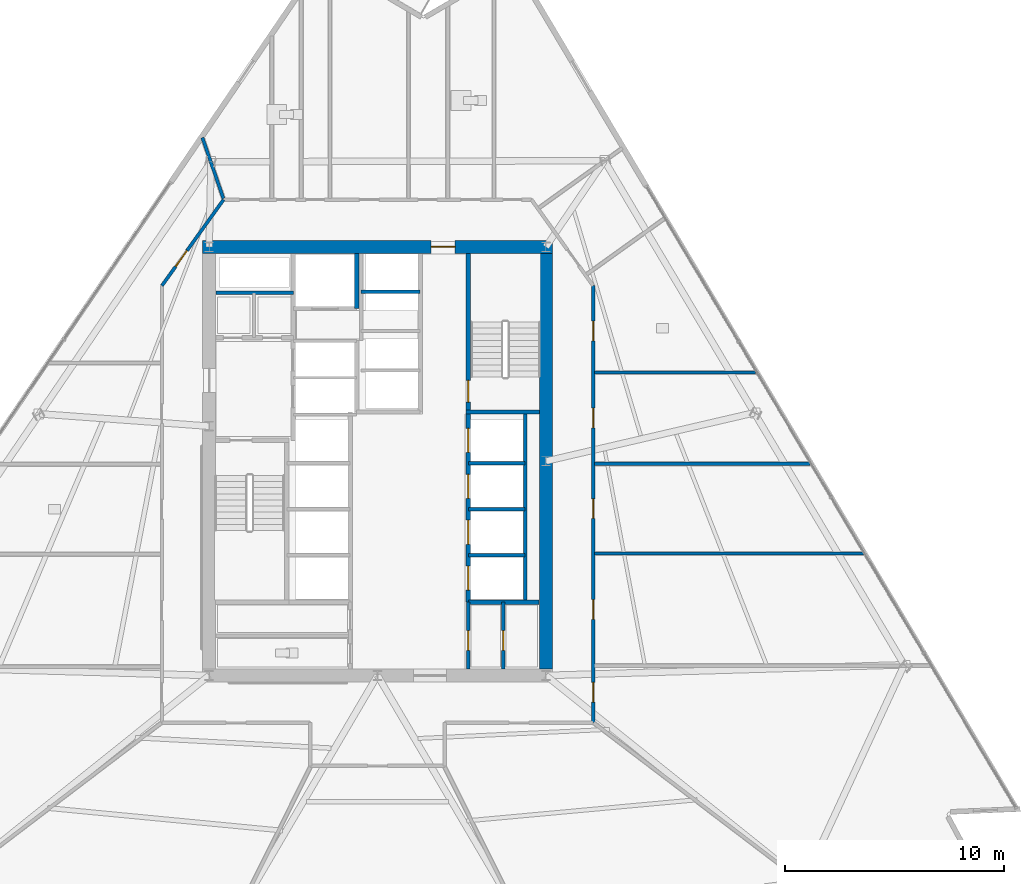
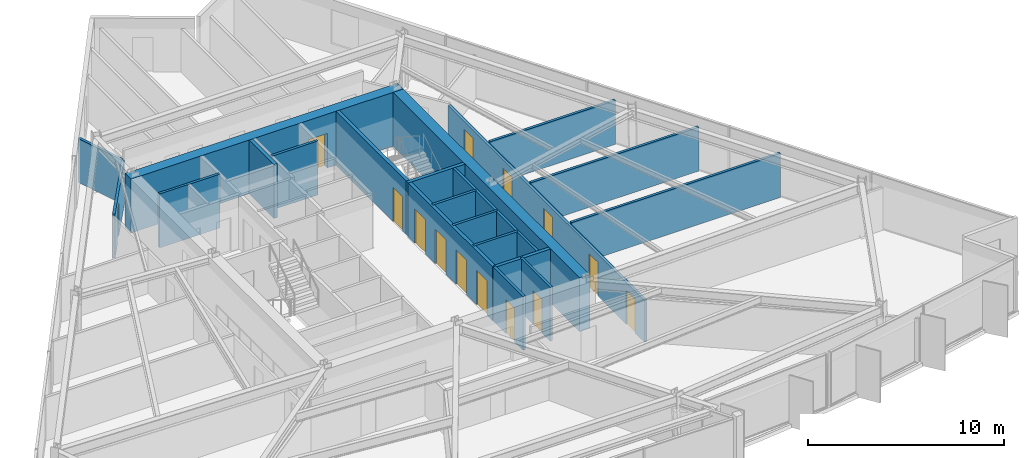
# One storey, part 10 of 16: 21 walls, 14 doors, 14 openings.
"""IFC4 building model written with IfcOpenShell, lengths in metres."""

import ifcopenshell
import ifcopenshell.guid

model = None  # the IFC model being written
_history = None  # IfcOwnerHistory: only IFC2X3 demands one
_inside = {}  # id of a spatial element -> (the spatial element, [elements in it])
_under = {}  # id of a project, library or spatial element -> (it, [spatial elements below it])
_declared = {}  # id of a project -> (the project, [libraries it declares])
_typed = {}  # id of a type object -> (the type object, [elements of that type])
_made_of = {}  # id of a material, layer set ... -> (it, [elements and type objects made of it])


def new_model(schema):
    """Start an empty IFC model of exactly this schema.

    Asked for "IFC4X3", IfcOpenShell would pick the latest addendum, in which some entities
    have other attributes; the version numbers below select the first issue.
    IFC2X3 requires an IfcOwnerHistory on every rooted entity: one is made here for all.
    """
    global model, _history
    if schema == "IFC4X3":
        model = ifcopenshell.file(schema_version=(4, 3, 0, 0))
    else:
        model = ifcopenshell.file(schema=schema)
    _inside.clear()
    _under.clear()
    _declared.clear()
    _typed.clear()
    _made_of.clear()
    _history = None
    if model.schema == "IFC2X3":
        org = make("IfcOrganization", Name="unknown")
        user = make(
            "IfcPersonAndOrganization",
            ThePerson=make("IfcPerson", FamilyName="unknown"),
            TheOrganization=org,
        )
        app = make(
            "IfcApplication",
            ApplicationDeveloper=org,
            Version="unknown",
            ApplicationFullName="unknown",
            ApplicationIdentifier="unknown",
        )
        _history = make(
            "IfcOwnerHistory",
            OwningUser=user,
            OwningApplication=app,
            ChangeAction="ADDED",
            CreationDate=0,
        )
    return model


def make(cls, **values):
    """One entity of the class cls with the attributes given. An attribute that is None is left unset."""
    return model.create_entity(
        cls, **{name: value for name, value in values.items() if value is not None}
    )


def rooted(cls, **values):
    """An entity with a GlobalId (a new one), such as an element, a storey or a relation."""
    return make(cls, GlobalId=ifcopenshell.guid.new(), OwnerHistory=_history, **values)


def si_unit(unit_type, name, prefix=None):
    """IfcSIUnit, for example si_unit("LENGTHUNIT", "METRE", prefix="MILLI")."""
    return make("IfcSIUnit", UnitType=unit_type, Prefix=prefix, Name=name)


def assignment(units):
    """IfcUnitAssignment: the units of a project."""
    return None if units is None else make("IfcUnitAssignment", Units=units)


def point(xyz):
    """IfcCartesianPoint."""
    return None if xyz is None else make("IfcCartesianPoint", Coordinates=xyz)


def direction(xyz):
    """IfcDirection."""
    return None if xyz is None else make("IfcDirection", DirectionRatios=xyz)


def frame(location, z_axis=None, x_axis=None):
    """IfcAxis2Placement3D, a coordinate frame: its origin and axes. An axis left out is left unset."""
    return make(
        "IfcAxis2Placement3D",
        Location=point(location),
        Axis=direction(z_axis),
        RefDirection=direction(x_axis),
    )


def frame_2d(location, x_axis=None):
    """IfcAxis2Placement2D, a coordinate frame in the plane: its origin and x axis."""
    return make(
        "IfcAxis2Placement2D", Location=point(location), RefDirection=direction(x_axis)
    )


def origin():
    """The frame at (0, 0, 0) with its axes left unset."""
    return frame((0.0, 0.0, 0.0))


def place(relative_to, where):
    """IfcLocalPlacement: puts the frame where relative to a parent placement (None: the world)."""
    return make(
        "IfcLocalPlacement", PlacementRelTo=relative_to, RelativePlacement=where
    )


def context(
    kind, dimensions, precision=None, world=None, true_north=None, identifier=None
):
    """IfcGeometricRepresentationContext, for example the 3D "Model" context."""
    return make(
        "IfcGeometricRepresentationContext",
        ContextIdentifier=identifier,
        ContextType=kind,
        CoordinateSpaceDimension=dimensions,
        Precision=precision,
        WorldCoordinateSystem=world,
        TrueNorth=true_north,
    )


def subcontext(parent, identifier, kind, view, scale=None):
    """IfcGeometricRepresentationSubContext, for example "Body" below "Model"."""
    return make(
        "IfcGeometricRepresentationSubContext",
        ContextIdentifier=identifier,
        ContextType=kind,
        ParentContext=parent,
        TargetScale=scale,
        TargetView=view,
    )


def project(units=None, contexts=None):
    """IfcProject with its units and contexts."""
    return rooted(
        "IfcProject",
        Name="project",
        RepresentationContexts=contexts,
        UnitsInContext=assignment(units),
    )


def spatial(cls, under=None, at=None, **own):
    """A site, building, storey or space (cls), placed at a placement, below another one or the project."""
    s = rooted(cls, ObjectPlacement=at, **own)
    if under is not None:
        _under.setdefault(under.id(), (under, []))[1].append(s)
    return s


def profile(cls, at=None, kind="AREA", **sizes):
    """A parametric profile (cls). Its sizes go by their IFC names, for example OverallWidth=200.0."""
    return make(cls, ProfileType=kind, Position=at, **sizes)


def rectangle(**sizes):
    """IfcRectangleProfileDef."""
    return profile("IfcRectangleProfileDef", **sizes)


def extrude(swept, where, along, depth):
    """IfcExtrudedAreaSolid: the profile swept, set in the frame where, extruded along a direction by depth."""
    return make(
        "IfcExtrudedAreaSolid",
        SweptArea=swept,
        Position=where,
        ExtrudedDirection=direction(along),
        Depth=depth,
    )


def shape(context_of_items, identifier, shape_type, items):
    """IfcShapeRepresentation: the items that make up one representation, for example the "Body"."""
    return make(
        "IfcShapeRepresentation",
        ContextOfItems=context_of_items,
        RepresentationIdentifier=identifier,
        RepresentationType=shape_type,
        Items=items,
    )


def material(Name=None, Category=None):
    """IfcMaterial."""
    return make("IfcMaterial", Name=Name, Category=Category)


def layer(
    of_material, thickness, ventilated=None, Name=None, Category=None, Priority=None
):
    """IfcMaterialLayer: one layer of a wall or slab, of a material (None: an air gap)."""
    return make(
        "IfcMaterialLayer",
        Material=of_material,
        LayerThickness=thickness,
        IsVentilated=ventilated,
        Name=Name,
        Category=Category,
        Priority=Priority,
    )


def layer_set(layers, Name=None):
    """IfcMaterialLayerSet."""
    return make("IfcMaterialLayerSet", MaterialLayers=layers, LayerSetName=Name)


def made_of(thing, what):
    """Note that an element or type object is made of a material, layer set ...; save() writes the relation."""
    if what is not None:
        _made_of.setdefault(what.id(), (what, []))[1].append(thing)
    return thing


def type_object(cls, material=None, **own):
    """A type object (cls), such as IfcWallType, which elements share."""
    return made_of(rooted(cls, **own), material)


def element(
    cls,
    number,
    at=None,
    inside=None,
    cuts=None,
    type_object=None,
    material=None,
    context=None,
    identifier="Body",
    shape_type=None,
    held_by="IfcProductDefinitionShape",
    body=None,
    shapes=None,
    **own,
):
    """One element of the class cls, such as IfcWall. Its Tag is "e" and its number.

    at: its placement. inside: the storey or other place that contains it. cuts: it is an
    opening in that element (IfcRelVoidsElement). A single representation is given by context,
    identifier, shape_type and body (its items); several are given by shapes. held_by: the class
    of the entity that holds the representations. save() writes the other relations.
    """
    e = rooted(cls, Tag="e%d" % number, ObjectPlacement=at, **own)
    if body is not None:
        shapes = [shape(context, identifier, shape_type, body)]
    if shapes is not None:
        e.Representation = make(held_by, Representations=shapes)
    if inside is not None:
        _inside.setdefault(inside.id(), (inside, []))[1].append(e)
    if cuts is not None:
        rooted(
            "IfcRelVoidsElement", RelatingBuildingElement=cuts, RelatedOpeningElement=e
        )
    if type_object is not None:
        _typed.setdefault(type_object.id(), (type_object, []))[1].append(e)
    return made_of(e, material)


def fill(opening, filler):
    """IfcRelFillsElement: the door or window that sits in an opening."""
    return rooted(
        "IfcRelFillsElement",
        RelatingOpeningElement=opening,
        RelatedBuildingElement=filler,
    )


def aggregate(whole, parts):
    """IfcRelAggregates: a whole, such as a stair, and the parts it consists of."""
    return rooted("IfcRelAggregates", RelatingObject=whole, RelatedObjects=parts)


def save(model, path):
    """Write the relations noted so far, then the file.

    IfcRelAggregates (storeys below a building ...), IfcRelContainedInSpatialStructure (elements
    in a storey), IfcRelDefinesByType, IfcRelAssociatesMaterial and IfcRelDeclares: one each for
    every whole, place, type object, material and project.
    """
    for whole, parts in _under.values():
        aggregate(whole, parts)
    for where, things in _inside.values():
        rooted(
            "IfcRelContainedInSpatialStructure",
            RelatedElements=things,
            RelatingStructure=where,
        )
    for kind, things in _typed.values():
        rooted("IfcRelDefinesByType", RelatedObjects=things, RelatingType=kind)
    for what, things in _made_of.values():
        rooted("IfcRelAssociatesMaterial", RelatedObjects=things, RelatingMaterial=what)
    for by, libraries in _declared.values():
        rooted("IfcRelDeclares", RelatingContext=by, RelatedDefinitions=libraries)
    model.write(path)


model = new_model("IFC4")

# Units and contexts
model_context = context("Model", 3, precision=1e-05, world=origin(), true_north=direction((0.0, 1.0)))
body_context = subcontext(model_context, "Body", "Model", "MODEL_VIEW")
ifc_project = project(units=[si_unit("LENGTHUNIT", "METRE"), si_unit("AREAUNIT", "SQUARE_METRE"), si_unit("VOLUMEUNIT", "CUBIC_METRE"), si_unit("PLANEANGLEUNIT", "RADIAN"), si_unit("MASSUNIT", "GRAM", prefix="KILO")], contexts=[model_context])

# Site, building, storey
site_placement = place(None, origin())
site = spatial("IfcSite", under=ifc_project, at=site_placement, CompositionType="ELEMENT")
building_placement = place(site_placement, origin())
building = spatial("IfcBuilding", under=site, at=building_placement, Name="Savorim Split Tower", CompositionType="ELEMENT")
storey_placement = place(building_placement, frame((0.0, 0.0, 66.0)))
storey = spatial("IfcBuildingStorey", under=building, at=storey_placement, Name="L17", CompositionType="ELEMENT", Elevation=66.0)

# Wall, opening, door
ifc_material_1 = material(Name="Concrete C60/75", Category="concrete")
ifc_layer_1 = layer(ifc_material_1, 0.60009765625)
ifc_layer_set_1 = layer_set([ifc_layer_1], Name="WAL-COR-SH600")
wall_type_1 = type_object("IfcWallType", Name="WAL-COR-SH600", PredefinedType="SHEAR", material=ifc_layer_set_1)
wall_1_placement = place(storey_placement, frame((8.0, 10.199951171875, 0.0), z_axis=(0.0, 0.0, 1.0), x_axis=(-1.0, 0.0, 0.0)))
wall_1 = element("IfcWall", 1, at=wall_1_placement, inside=storey, type_object=wall_type_1, Name="L17 Offset Core North Shear Wall", PredefinedType="SHEAR", context=body_context, shape_type="SweptSolid", body=[
    extrude(rectangle(XDim=16.0, YDim=0.60009765625, at=frame_2d((8.0, 0.0))), origin(), (0.0, 0.0, 1.0), 3.35009765625),
])
opening_1_placement = place(wall_1_placement, frame((4.449951171875, 0.0, 0.0)))
opening_1 = element("IfcOpeningElement", 2, at=opening_1_placement, cuts=wall_1, Name="Opening DI-03", PredefinedType="OPENING", context=body_context, shape_type="SweptSolid", body=[
    extrude(rectangle(XDim=1.10009765625, YDim=2.14990234375, at=frame_2d((0.550048828125, 1.074951171875))), frame((0.0, 0.31005859375, 0.0), z_axis=(0.0, -1.0, 0.0), x_axis=(1.0, 0.0, 0.0)), (0.0, 0.0, 1.0), 0.6201171875),
])
ifc_material_2 = material(Name="Timber Fire Door Leaf", Category="wood")
door_type_1 = type_object("IfcDoorType", Name="DOR-FIR-1100", OperationType="NOTDEFINED", PredefinedType="DOOR", material=ifc_material_2)
door_1_placement = place(opening_1_placement, origin())
door_1 = element("IfcDoor", 3, at=door_1_placement, inside=storey, type_object=door_type_1, Name="DOR-L17-COR-NLOB - L17 North Corridor Lobby Fire Door", OperationType="SINGLE_SWING_RIGHT", OverallHeight=2.14990234375, OverallWidth=1.10009765625, PredefinedType="DOOR", context=body_context, shape_type="SweptSolid", body=[
    extrude(rectangle(XDim=1.10009765625, YDim=2.14990234375, at=frame_2d((0.550048828125, 1.074951171875))), frame((0.0, 0.02490234375, 0.0), z_axis=(0.0, -1.0, 0.0), x_axis=(1.0, 0.0, 0.0)), (0.0, 0.0, 1.0), 0.050048828125),
])
fill(opening_1, door_1)

# Wall
wall_2_placement = place(storey_placement, frame((7.699951171875, 9.89990234375, 0.0), z_axis=(0.0, 0.0, 1.0), x_axis=(0.0, -1.0, 0.0)))
element("IfcWall", 4, at=wall_2_placement, inside=storey, type_object=wall_type_1, Name="L17 Offset Core East Shear Wall", PredefinedType="SHEAR", context=body_context, shape_type="SweptSolid", body=[
    extrude(rectangle(XDim=19.0, YDim=0.60009765625, at=frame_2d((9.5, 0.0))), origin(), (0.0, 0.0, 1.0), 3.35009765625),
])

# Wall, opening, door
ifc_material_3 = material(Name="Concrete C50/60", Category="concrete")
ifc_layer_2 = layer(ifc_material_3, 0.199951171875)
ifc_layer_set_2 = layer_set([ifc_layer_2], Name="WAL-INT-RC200")
wall_type_2 = type_object("IfcWallType", Name="WAL-INT-RC200", PredefinedType="SOLIDWALL", material=ifc_layer_set_2)
wall_3_placement = place(storey_placement, frame((4.14990234375, 2.75, 0.0), z_axis=(0.0, 0.0, 1.0), x_axis=(0.0, 1.0, 0.0)))
wall_3 = element("IfcWall", 5, at=wall_3_placement, inside=storey, type_object=wall_type_2, Name="L17 Structural Shaft Wall W-L17-CR07", PredefinedType="SOLIDWALL", context=body_context, shape_type="SweptSolid", body=[
    extrude(rectangle(XDim=7.14990234375, YDim=0.199951171875, at=frame_2d((3.574951171875, 0.0))), origin(), (0.0, 0.0, 1.0), 3.35009765625),
])
opening_2_placement = place(wall_3_placement, frame((0.35009765625, 0.0, 0.0)))
opening_2 = element("IfcOpeningElement", 6, at=opening_2_placement, cuts=wall_3, Name="Opening DI-04", PredefinedType="OPENING", context=body_context, shape_type="SweptSolid", body=[
    extrude(rectangle(XDim=1.0, YDim=2.14990234375, at=frame_2d((0.5, 1.074951171875))), frame((0.0, 0.10986328125, 0.0), z_axis=(0.0, -1.0, 0.0), x_axis=(1.0, 0.0, 0.0)), (0.0, 0.0, 1.0), 0.219970703125),
])
door_type_2 = type_object("IfcDoorType", Name="DOR-FIR-1000", OperationType="NOTDEFINED", PredefinedType="DOOR", material=ifc_material_2)
door_2_placement = place(opening_2_placement, origin())
door_2 = element("IfcDoor", 7, at=door_2_placement, inside=storey, type_object=door_type_2, Name="DR-L17-ST2 - L17 Stair ST-2 Enclosure Door", OperationType="SINGLE_SWING_RIGHT", OverallHeight=2.14990234375, OverallWidth=1.0, PredefinedType="DOOR", context=body_context, shape_type="SweptSolid", body=[
    extrude(rectangle(XDim=1.0, YDim=2.14990234375, at=frame_2d((0.5, 1.074951171875))), frame((0.0, 0.02490234375, 0.0), z_axis=(0.0, -1.0, 0.0), x_axis=(1.0, 0.0, 0.0)), (0.0, 0.0, 1.0), 0.050048828125),
])
fill(opening_2, door_2)

# Walls
wall_4_placement = place(storey_placement, frame((4.050048828125, 2.64990234375, 0.0), z_axis=(0.0, 0.0, 1.0), x_axis=(1.0, 0.0, 0.0)))
element("IfcWall", 8, at=wall_4_placement, inside=storey, type_object=wall_type_2, Name="L17 Structural Shaft Wall W-L17-CR08", PredefinedType="SOLIDWALL", context=body_context, shape_type="SweptSolid", body=[
    extrude(rectangle(XDim=3.349853515625, YDim=0.199951171875, at=frame_2d((1.6748046875, 0.0))), origin(), (0.0, 0.0, 1.0), 3.35009765625),
])
wall_5_placement = place(storey_placement, frame((-0.949951171875, 7.3798828125, 0.0), z_axis=(0.0, 0.0, 1.0), x_axis=(0.0, 1.0, 0.0)))
element("IfcWall", 9, at=wall_5_placement, inside=storey, type_object=wall_type_2, Name="L17 Partition W-L17-SVLE", PredefinedType="SOLIDWALL", context=body_context, shape_type="SweptSolid", body=[
    extrude(rectangle(XDim=2.51513671875, YDim=0.199951171875, at=frame_2d((1.257568359375, 0.0))), origin(), (0.0, 0.0, 1.0), 3.35009765625),
])

# Wall, openings, doors
wall_6_placement = place(storey_placement, frame((4.14990234375, -6.050048828125, 0.0), z_axis=(0.0, 0.0, 1.0), x_axis=(0.0, 1.0, 0.0)))
wall_6 = element("IfcWall", 10, at=wall_6_placement, inside=storey, type_object=wall_type_2, Name="L17 Partition W-L17-B1FRONT", PredefinedType="SOLIDWALL", context=body_context, shape_type="SweptSolid", body=[
    extrude(rectangle(XDim=8.699951171875, YDim=0.199951171875, at=frame_2d((4.35009765625, 0.0))), origin(), (0.0, 0.0, 1.0), 3.35009765625),
])
opening_3_placement = place(wall_6_placement, frame((0.550048828125, 0.0, 0.0)))
opening_3 = element("IfcOpeningElement", 11, at=opening_3_placement, cuts=wall_6, Name="Opening LD-01", PredefinedType="OPENING", context=body_context, shape_type="SweptSolid", body=[
    extrude(rectangle(XDim=1.10009765625, YDim=2.14990234375, at=frame_2d((0.550048828125, 1.074951171875))), frame((0.0, 0.10986328125, 0.0), z_axis=(0.0, -1.0, 0.0), x_axis=(1.0, 0.0, 0.0)), (0.0, 0.0, 1.0), 0.219970703125),
])
opening_4_placement = place(wall_6_placement, frame((2.64990234375, 0.0, 0.0)))
opening_4 = element("IfcOpeningElement", 12, at=opening_4_placement, cuts=wall_6, Name="Opening LD-01", PredefinedType="OPENING", context=body_context, shape_type="SweptSolid", body=[
    extrude(rectangle(XDim=1.10009765625, YDim=2.14990234375, at=frame_2d((0.550048828125, 1.074951171875))), frame((0.0, 0.10986328125, 0.0), z_axis=(0.0, -1.0, 0.0), x_axis=(1.0, 0.0, 0.0)), (0.0, 0.0, 1.0), 0.219970703125),
])
opening_5_placement = place(wall_6_placement, frame((4.75, 0.0, 0.0)))
opening_5 = element("IfcOpeningElement", 13, at=opening_5_placement, cuts=wall_6, Name="Opening LD-01", PredefinedType="OPENING", context=body_context, shape_type="SweptSolid", body=[
    extrude(rectangle(XDim=1.10009765625, YDim=2.14990234375, at=frame_2d((0.550048828125, 1.074951171875))), frame((0.0, 0.10986328125, 0.0), z_axis=(0.0, -1.0, 0.0), x_axis=(1.0, 0.0, 0.0)), (0.0, 0.0, 1.0), 0.219970703125),
])
opening_6_placement = place(wall_6_placement, frame((6.85009765625, 0.0, 0.0)))
opening_6 = element("IfcOpeningElement", 14, at=opening_6_placement, cuts=wall_6, Name="Opening LD-01", PredefinedType="OPENING", context=body_context, shape_type="SweptSolid", body=[
    extrude(rectangle(XDim=1.10009765625, YDim=2.14990234375, at=frame_2d((0.550048828125, 1.074951171875))), frame((0.0, 0.10986328125, 0.0), z_axis=(0.0, -1.0, 0.0), x_axis=(1.0, 0.0, 0.0)), (0.0, 0.0, 1.0), 0.219970703125),
])
ifc_material_4 = material(Name="Charcoal Anodised Aluminium", Category="aluminium")
door_type_3 = type_object("IfcDoorType", Name="DOR-SLD-LD1100", OperationType="NOTDEFINED", PredefinedType="DOOR", material=ifc_material_4)
door_3_placement = place(opening_3_placement, origin())
door_3 = element("IfcDoor", 15, at=door_3_placement, inside=storey, type_object=door_type_3, Name="DR-L17-LD-PLL1 - L17 Lift PL-L1 Sliding Landing Door", OperationType="DOUBLE_DOOR_SLIDING", OverallHeight=2.14990234375, OverallWidth=1.10009765625, PredefinedType="DOOR", context=body_context, shape_type="SweptSolid", body=[
    extrude(rectangle(XDim=1.10009765625, YDim=2.14990234375, at=frame_2d((0.550048828125, 1.074951171875))), frame((0.0, 0.02490234375, 0.0), z_axis=(0.0, -1.0, 0.0), x_axis=(1.0, 0.0, 0.0)), (0.0, 0.0, 1.0), 0.050048828125),
])
fill(opening_3, door_3)
door_4_placement = place(opening_4_placement, origin())
door_4 = element("IfcDoor", 16, at=door_4_placement, inside=storey, type_object=door_type_3, Name="DR-L17-LD-PLL2 - L17 Lift PL-L2 Sliding Landing Door", OperationType="DOUBLE_DOOR_SLIDING", OverallHeight=2.14990234375, OverallWidth=1.10009765625, PredefinedType="DOOR", context=body_context, shape_type="SweptSolid", body=[
    extrude(rectangle(XDim=1.10009765625, YDim=2.14990234375, at=frame_2d((0.550048828125, 1.074951171875))), frame((0.0, 0.02490234375, 0.0), z_axis=(0.0, -1.0, 0.0), x_axis=(1.0, 0.0, 0.0)), (0.0, 0.0, 1.0), 0.050048828125),
])
fill(opening_4, door_4)
door_5_placement = place(opening_5_placement, origin())
door_5 = element("IfcDoor", 17, at=door_5_placement, inside=storey, type_object=door_type_3, Name="DR-L17-LD-PLL3 - L17 Lift PL-L3 Sliding Landing Door", OperationType="DOUBLE_DOOR_SLIDING", OverallHeight=2.14990234375, OverallWidth=1.10009765625, PredefinedType="DOOR", context=body_context, shape_type="SweptSolid", body=[
    extrude(rectangle(XDim=1.10009765625, YDim=2.14990234375, at=frame_2d((0.550048828125, 1.074951171875))), frame((0.0, 0.02490234375, 0.0), z_axis=(0.0, -1.0, 0.0), x_axis=(1.0, 0.0, 0.0)), (0.0, 0.0, 1.0), 0.050048828125),
])
fill(opening_5, door_5)
door_6_placement = place(opening_6_placement, origin())
door_6 = element("IfcDoor", 18, at=door_6_placement, inside=storey, type_object=door_type_3, Name="DR-L17-LD-PLL4 - L17 Lift PL-L4 Sliding Landing Door", OperationType="DOUBLE_DOOR_SLIDING", OverallHeight=2.14990234375, OverallWidth=1.10009765625, PredefinedType="DOOR", context=body_context, shape_type="SweptSolid", body=[
    extrude(rectangle(XDim=1.10009765625, YDim=2.14990234375, at=frame_2d((0.550048828125, 1.074951171875))), frame((0.0, 0.02490234375, 0.0), z_axis=(0.0, -1.0, 0.0), x_axis=(1.0, 0.0, 0.0)), (0.0, 0.0, 1.0), 0.050048828125),
])
fill(opening_6, door_6)

# Walls
wall_7_placement = place(storey_placement, frame((4.14990234375, -6.050048828125, 0.0), z_axis=(0.0, 0.0, 1.0), x_axis=(1.0, 0.0, 0.0)))
element("IfcWall", 19, at=wall_7_placement, inside=storey, type_object=wall_type_2, Name="L17 Partition W-L17-KSEP-E", PredefinedType="SOLIDWALL", context=body_context, shape_type="SweptSolid", body=[
    extrude(rectangle(XDim=3.2451171875, YDim=0.199951171875, at=frame_2d((1.62255859375, 0.0))), origin(), (0.0, 0.0, 1.0), 3.35009765625),
])
ifc_material_5 = material(Name="Acoustic Gypsum Partition Board")
ifc_layer_3 = layer(ifc_material_5, 0.14990234375)
ifc_layer_set_3 = layer_set([ifc_layer_3], Name="WAL-PAR-150")
wall_type_3 = type_object("IfcWallType", Name="WAL-PAR-150", PredefinedType="PARTITIONING", material=ifc_layer_set_3)
wall_8_placement = place(storey_placement, frame((-7.39501953125, 8.10009765625, 0.0), z_axis=(0.0, 0.0, 1.0), x_axis=(1.0, 0.0, 0.0)))
element("IfcWall", 20, at=wall_8_placement, inside=storey, type_object=wall_type_3, Name="L17 Partition W-L17-CR05", PredefinedType="PARTITIONING", context=body_context, shape_type="SweptSolid", body=[
    extrude(rectangle(XDim=3.544921875, YDim=0.14990234375, at=frame_2d((1.7724609375, 0.0))), origin(), (0.0, 0.0, 1.0), 3.35009765625),
])
wall_9_placement = place(storey_placement, frame((6.75, -6.050048828125, 0.0), z_axis=(0.0, 0.0, 1.0), x_axis=(0.0, 1.0, 0.0)))
element("IfcWall", 21, at=wall_9_placement, inside=storey, type_object=wall_type_3, Name="L17 Partition W-L17-B1BACK", PredefinedType="PARTITIONING", context=body_context, shape_type="SweptSolid", body=[
    extrude(rectangle(XDim=8.699951171875, YDim=0.14990234375, at=frame_2d((4.35009765625, 0.0))), origin(), (0.0, 0.0, 1.0), 3.35009765625),
])
for number, where, z_axis, x_axis, name in (
    (22, (4.14990234375, -3.89990234375, 0.0), (0.0, 0.0, 1.0), (1.0, 0.0, 0.0), "L17 Partition W-L17-B1DIV1"),
    (23, (4.14990234375, -1.800048828125, 0.0), (0.0, 0.0, 1.0), (1.0, 0.0, 0.0), "L17 Partition W-L17-B1DIV2"),
    (24, (4.14990234375, 0.300048828125, 0.0), (0.0, 0.0, 1.0), (1.0, 0.0, 0.0), "L17 Partition W-L17-B1DIV3"),
):
    element("IfcWall", number, at=place(storey_placement, frame(where, z_axis=z_axis, x_axis=x_axis)), inside=storey, type_object=wall_type_3, Name=name, PredefinedType="PARTITIONING", context=body_context, shape_type="SweptSolid", body=[
        extrude(rectangle(XDim=2.60009765625, YDim=0.14990234375, at=frame_2d((1.300048828125, 0.0))), origin(), (0.0, 0.0, 1.0), 3.35009765625),
    ])
wall_10_placement = place(storey_placement, frame((-0.75, 8.14990234375, 0.0), z_axis=(0.0, 0.0, 1.0), x_axis=(1.0, 0.0, 0.0)))
element("IfcWall", 25, at=wall_10_placement, inside=storey, type_object=wall_type_3, Name="L17 Partition W-L17-B3DIV3", PredefinedType="PARTITIONING", context=body_context, shape_type="SweptSolid", body=[
    extrude(rectangle(XDim=2.699951171875, YDim=0.14990234375, at=frame_2d((1.35009765625, 0.0))), origin(), (0.0, 0.0, 1.0), 3.35009765625),
])

# Wall, opening, door
wall_11_placement = place(storey_placement, frame((4.14990234375, -9.094970703125, 0.0), z_axis=(0.0, 0.0, 1.0), x_axis=(0.0, 1.0, 0.0)))
wall_11 = element("IfcWall", 26, at=wall_11_placement, inside=storey, type_object=wall_type_3, Name="L17 Partition W-L17-KLOB-E", PredefinedType="PARTITIONING", context=body_context, shape_type="SweptSolid", body=[
    extrude(rectangle(XDim=3.044921875, YDim=0.14990234375, at=frame_2d((1.5224609375, 0.0))), origin(), (0.0, 0.0, 1.0), 3.35009765625),
])
opening_7_placement = place(wall_11_placement, frame((0.844970703125, 0.0, 0.0)))
opening_7 = element("IfcOpeningElement", 27, at=opening_7_placement, cuts=wall_11, Name="Opening DI-06", PredefinedType="OPENING", context=body_context, shape_type="SweptSolid", body=[
    extrude(rectangle(XDim=0.89990234375, YDim=2.10009765625, at=frame_2d((0.449951171875, 1.050048828125))), frame((0.0, 0.0849609375, 0.0), z_axis=(0.0, -1.0, 0.0), x_axis=(1.0, 0.0, 0.0)), (0.0, 0.0, 1.0), 0.169921875),
])
door_type_4 = type_object("IfcDoorType", Name="DOR-FIR-900", OperationType="NOTDEFINED", PredefinedType="DOOR", material=ifc_material_2)
door_7_placement = place(opening_7_placement, origin())
door_7 = element("IfcDoor", 28, at=door_7_placement, inside=storey, type_object=door_type_4, Name="DR-L17-K2PAN - L17 Vending Pantry Door", OperationType="SINGLE_SWING_LEFT", OverallHeight=2.10009765625, OverallWidth=0.89990234375, PredefinedType="DOOR", context=body_context, shape_type="SweptSolid", body=[
    extrude(rectangle(XDim=0.89990234375, YDim=2.10009765625, at=frame_2d((0.449951171875, 1.050048828125))), frame((0.0, 0.02490234375, 0.0), z_axis=(0.0, -1.0, 0.0), x_axis=(1.0, 0.0, 0.0)), (0.0, 0.0, 1.0), 0.050048828125),
])
fill(opening_7, door_7)

wall_12_placement = place(storey_placement, frame((5.75, -9.094970703125, 0.0), z_axis=(0.0, 0.0, 1.0), x_axis=(0.0, 1.0, 0.0)))
wall_12 = element("IfcWall", 29, at=wall_12_placement, inside=storey, type_object=wall_type_3, Name="L17 Partition W-L17-K2E", PredefinedType="PARTITIONING", context=body_context, shape_type="SweptSolid", body=[
    extrude(rectangle(XDim=3.044921875, YDim=0.14990234375, at=frame_2d((1.5224609375, 0.0))), origin(), (0.0, 0.0, 1.0), 3.35009765625),
])
opening_8_placement = place(wall_12_placement, frame((0.844970703125, 0.0, 0.0)))
opening_8 = element("IfcOpeningElement", 30, at=opening_8_placement, cuts=wall_12, Name="Opening DI-06", PredefinedType="OPENING", context=body_context, shape_type="SweptSolid", body=[
    extrude(rectangle(XDim=0.89990234375, YDim=2.10009765625, at=frame_2d((0.449951171875, 1.050048828125))), frame((0.0, 0.0849609375, 0.0), z_axis=(0.0, -1.0, 0.0), x_axis=(1.0, 0.0, 0.0)), (0.0, 0.0, 1.0), 0.169921875),
])
door_8_placement = place(opening_8_placement, origin())
door_8 = element("IfcDoor", 31, at=door_8_placement, inside=storey, type_object=door_type_4, Name="DR-L17-K2REF - L17 Recycling Room Door", OperationType="SINGLE_SWING_RIGHT", OverallHeight=2.10009765625, OverallWidth=0.89990234375, PredefinedType="DOOR", context=body_context, shape_type="SweptSolid", body=[
    extrude(rectangle(XDim=0.89990234375, YDim=2.10009765625, at=frame_2d((0.449951171875, 1.050048828125))), frame((0.0, 0.02490234375, 0.0), z_axis=(0.0, -1.0, 0.0), x_axis=(1.0, 0.0, 0.0)), (0.0, 0.0, 1.0), 0.050048828125),
])
fill(opening_8, door_8)

wall_13_placement = place(storey_placement, frame((-9.860107421875, 8.42578125, 0.0), z_axis=(0.0, 0.0, 1.0), x_axis=(0.582449511476, 0.812866881218, 0.0)))
wall_13 = element("IfcWall", 32, at=wall_13_placement, inside=storey, type_object=wall_type_3, Name="L17 Partition W-L17-COR-02", PredefinedType="PARTITIONING", context=body_context, shape_type="SweptSolid", body=[
    extrude(rectangle(XDim=4.840087890625, YDim=0.14990234375, at=frame_2d((2.419921875, 0.0))), origin(), (0.0, 0.0, 1.0), 2.72509765625),
])
opening_9_placement = place(wall_13_placement, frame((1.070068359375, 0.0, 0.0)))
opening_9 = element("IfcOpeningElement", 33, at=opening_9_placement, cuts=wall_13, Name="Opening DI-06", PredefinedType="OPENING", context=body_context, shape_type="SweptSolid", body=[
    extrude(rectangle(XDim=0.89990234375, YDim=2.10009765625, at=frame_2d((0.449951171875, 1.050048828125))), frame((0.0, 0.0849609375, 0.0), z_axis=(0.0, -1.0, 0.0), x_axis=(1.0, 0.0, 0.0)), (0.0, 0.0, 1.0), 0.169921875),
])
door_9_placement = place(opening_9_placement, origin())
door_9 = element("IfcDoor", 34, at=door_9_placement, inside=storey, type_object=door_type_4, Name="DR-L17-RM20 - L17 Co-Living Bedroom Entry Door", OperationType="SINGLE_SWING_LEFT", OverallHeight=2.10009765625, OverallWidth=0.89990234375, PredefinedType="DOOR", context=body_context, shape_type="SweptSolid", body=[
    extrude(rectangle(XDim=0.89990234375, YDim=2.10009765625, at=frame_2d((0.449951171875, 1.050048828125))), frame((0.0, 0.02490234375, 0.0), z_axis=(0.0, -1.0, 0.0), x_axis=(1.0, 0.0, 0.0)), (0.0, 0.0, 1.0), 0.050048828125),
])
fill(opening_9, door_9)

# Wall, openings, doors
wall_14_placement = place(storey_placement, frame((9.860107421875, 8.42578125, 0.0), z_axis=(0.0, 0.0, 1.0), x_axis=(0.0, -1.0, 0.0)))
wall_14 = element("IfcWall", 35, at=wall_14_placement, inside=storey, type_object=wall_type_3, Name="L17 Partition W-L17-COR-05", PredefinedType="PARTITIONING", context=body_context, shape_type="SweptSolid", body=[
    extrude(rectangle(XDim=19.98583984375, YDim=0.14990234375, at=frame_2d((9.992919921875, 0.0))), origin(), (0.0, 0.0, 1.0), 2.60888671875),
])
opening_10_placement = place(wall_14_placement, frame((18.14208984375, 0.0, 0.0)))
opening_10 = element("IfcOpeningElement", 36, at=opening_10_placement, cuts=wall_14, Name="Opening DI-06", PredefinedType="OPENING", context=body_context, shape_type="SweptSolid", body=[
    extrude(rectangle(XDim=0.89990234375, YDim=2.10009765625, at=frame_2d((0.449951171875, 1.050048828125))), frame((0.0, 0.0849609375, 0.0), z_axis=(0.0, -1.0, 0.0), x_axis=(1.0, 0.0, 0.0)), (0.0, 0.0, 1.0), 0.169921875),
])
opening_11_placement = place(wall_14_placement, frame((14.36181640625, 0.0, 0.0)))
opening_11 = element("IfcOpeningElement", 37, at=opening_11_placement, cuts=wall_14, Name="Opening DI-06", PredefinedType="OPENING", context=body_context, shape_type="SweptSolid", body=[
    extrude(rectangle(XDim=0.89990234375, YDim=2.10009765625, at=frame_2d((0.449951171875, 1.050048828125))), frame((0.0, 0.0849609375, 0.0), z_axis=(0.0, -1.0, 0.0), x_axis=(1.0, 0.0, 0.0)), (0.0, 0.0, 1.0), 0.169921875),
])
opening_12_placement = place(wall_14_placement, frame((9.744384765625, 0.0, 0.0)))
opening_12 = element("IfcOpeningElement", 38, at=opening_12_placement, cuts=wall_14, Name="Opening DI-06", PredefinedType="OPENING", context=body_context, shape_type="SweptSolid", body=[
    extrude(rectangle(XDim=0.89990234375, YDim=2.10009765625, at=frame_2d((0.449951171875, 1.050048828125))), frame((0.0, 0.0849609375, 0.0), z_axis=(0.0, -1.0, 0.0), x_axis=(1.0, 0.0, 0.0)), (0.0, 0.0, 1.0), 0.169921875),
])
opening_13_placement = place(wall_14_placement, frame((5.603515625, 0.0, 0.0)))
opening_13 = element("IfcOpeningElement", 39, at=opening_13_placement, cuts=wall_14, Name="Opening DI-06", PredefinedType="OPENING", context=body_context, shape_type="SweptSolid", body=[
    extrude(rectangle(XDim=0.89990234375, YDim=2.10009765625, at=frame_2d((0.449951171875, 1.050048828125))), frame((0.0, 0.0849609375, 0.0), z_axis=(0.0, -1.0, 0.0), x_axis=(1.0, 0.0, 0.0)), (0.0, 0.0, 1.0), 0.169921875),
])
opening_14_placement = place(wall_14_placement, frame((1.621826171875, 0.0, 0.0)))
opening_14 = element("IfcOpeningElement", 40, at=opening_14_placement, cuts=wall_14, Name="Opening DI-06", PredefinedType="OPENING", context=body_context, shape_type="SweptSolid", body=[
    extrude(rectangle(XDim=0.89990234375, YDim=2.10009765625, at=frame_2d((0.449951171875, 1.050048828125))), frame((0.0, 0.0849609375, 0.0), z_axis=(0.0, -1.0, 0.0), x_axis=(1.0, 0.0, 0.0)), (0.0, 0.0, 1.0), 0.169921875),
])
door_10_placement = place(opening_10_placement, origin())
door_10 = element("IfcDoor", 41, at=door_10_placement, inside=storey, type_object=door_type_4, Name="DR-L17-RM07 - L17 Co-Working Commons Entry Door", OperationType="SINGLE_SWING_RIGHT", OverallHeight=2.10009765625, OverallWidth=0.89990234375, PredefinedType="DOOR", context=body_context, shape_type="SweptSolid", body=[
    extrude(rectangle(XDim=0.89990234375, YDim=2.10009765625, at=frame_2d((0.449951171875, 1.050048828125))), frame((0.0, 0.02490234375, 0.0), z_axis=(0.0, -1.0, 0.0), x_axis=(1.0, 0.0, 0.0)), (0.0, 0.0, 1.0), 0.050048828125),
])
fill(opening_10, door_10)
door_11_placement = place(opening_11_placement, origin())
door_11 = element("IfcDoor", 42, at=door_11_placement, inside=storey, type_object=door_type_4, Name="DR-L17-RM08 - L17 Maker Workshop Entry Door", OperationType="SINGLE_SWING_LEFT", OverallHeight=2.10009765625, OverallWidth=0.89990234375, PredefinedType="DOOR", context=body_context, shape_type="SweptSolid", body=[
    extrude(rectangle(XDim=0.89990234375, YDim=2.10009765625, at=frame_2d((0.449951171875, 1.050048828125))), frame((0.0, 0.02490234375, 0.0), z_axis=(0.0, -1.0, 0.0), x_axis=(1.0, 0.0, 0.0)), (0.0, 0.0, 1.0), 0.050048828125),
])
fill(opening_11, door_11)
door_12_placement = place(opening_12_placement, origin())
door_12 = element("IfcDoor", 43, at=door_12_placement, inside=storey, type_object=door_type_4, Name="DR-L17-RM09 - L17 Communal Lounge Entry Door", OperationType="SINGLE_SWING_RIGHT", OverallHeight=2.10009765625, OverallWidth=0.89990234375, PredefinedType="DOOR", context=body_context, shape_type="SweptSolid", body=[
    extrude(rectangle(XDim=0.89990234375, YDim=2.10009765625, at=frame_2d((0.449951171875, 1.050048828125))), frame((0.0, 0.02490234375, 0.0), z_axis=(0.0, -1.0, 0.0), x_axis=(1.0, 0.0, 0.0)), (0.0, 0.0, 1.0), 0.050048828125),
])
fill(opening_12, door_12)
door_13_placement = place(opening_13_placement, origin())
door_13 = element("IfcDoor", 44, at=door_13_placement, inside=storey, type_object=door_type_4, Name="DR-L17-RM10 - L17 Maker Workshop Entry Door", OperationType="SINGLE_SWING_LEFT", OverallHeight=2.10009765625, OverallWidth=0.89990234375, PredefinedType="DOOR", context=body_context, shape_type="SweptSolid", body=[
    extrude(rectangle(XDim=0.89990234375, YDim=2.10009765625, at=frame_2d((0.449951171875, 1.050048828125))), frame((0.0, 0.02490234375, 0.0), z_axis=(0.0, -1.0, 0.0), x_axis=(1.0, 0.0, 0.0)), (0.0, 0.0, 1.0), 0.050048828125),
])
fill(opening_13, door_13)
door_14_placement = place(opening_14_placement, origin())
door_14 = element("IfcDoor", 45, at=door_14_placement, inside=storey, type_object=door_type_4, Name="DR-L17-RM11 - L17 Community Laundry Room Entry Door", OperationType="SINGLE_SWING_RIGHT", OverallHeight=2.10009765625, OverallWidth=0.89990234375, PredefinedType="DOOR", context=body_context, shape_type="SweptSolid", body=[
    extrude(rectangle(XDim=0.89990234375, YDim=2.10009765625, at=frame_2d((0.449951171875, 1.050048828125))), frame((0.0, 0.02490234375, 0.0), z_axis=(0.0, -1.0, 0.0), x_axis=(1.0, 0.0, 0.0)), (0.0, 0.0, 1.0), 0.050048828125),
])
fill(opening_14, door_14)

# Walls
wall_15_placement = place(storey_placement, frame((-7.047119140625, 12.41162109375, 0.0), z_axis=(0.0, 0.0, 1.0), x_axis=(-0.326108195871, 0.945332451884, 0.0)))
element("IfcWall", 46, at=wall_15_placement, inside=storey, type_object=wall_type_3, Name="L17 Partition W-L17-PRAD08", PredefinedType="PARTITIONING", context=body_context, shape_type="SweptSolid", body=[
    extrude(rectangle(XDim=2.945068359375, YDim=0.14990234375, at=frame_2d((1.47265625, 0.0))), origin(), (0.0, 0.0, 1.0), 2.72509765625),
])
wall_16_placement = place(storey_placement, frame((9.919921875, 0.283935546875, 0.0), z_axis=(0.0, 0.0, 1.0), x_axis=(1.0, 0.0, 0.0)))
element("IfcWall", 47, at=wall_16_placement, inside=storey, type_object=wall_type_3, Name="L17 Partition W-L17-SUB03", PredefinedType="PARTITIONING", context=body_context, shape_type="SweptSolid", body=[
    extrude(rectangle(XDim=9.860595703125, YDim=0.14990234375, at=frame_2d((4.93017578125, 0.0))), origin(), (0.0, 0.0, 1.0), 2.735107421875),
])
wall_17_placement = place(storey_placement, frame((9.919921875, -3.821533203125, 0.0), z_axis=(0.0, 0.0, 1.0), x_axis=(1.0, 0.0, 0.0)))
element("IfcWall", 48, at=wall_17_placement, inside=storey, type_object=wall_type_3, Name="L17 Partition W-L17-SUB07", PredefinedType="PARTITIONING", context=body_context, shape_type="SweptSolid", body=[
    extrude(rectangle(XDim=12.302001953125, YDim=0.14990234375, at=frame_2d((6.15087890625, 0.0))), origin(), (0.0, 0.0, 1.0), 2.735107421875),
])
wall_18_placement = place(storey_placement, frame((9.919921875, 4.46044921875, 0.0), z_axis=(0.0, 0.0, 1.0), x_axis=(1.0, 0.0, 0.0)))
element("IfcWall", 49, at=wall_18_placement, inside=storey, type_object=wall_type_3, Name="L17 Partition W-L17-SUB08", PredefinedType="PARTITIONING", context=body_context, shape_type="SweptSolid", body=[
    extrude(rectangle(XDim=7.37744140625, YDim=0.14990234375, at=frame_2d((3.688720703125, 0.0))), origin(), (0.0, 0.0, 1.0), 2.735107421875),
])

save(model, "model.ifc")
